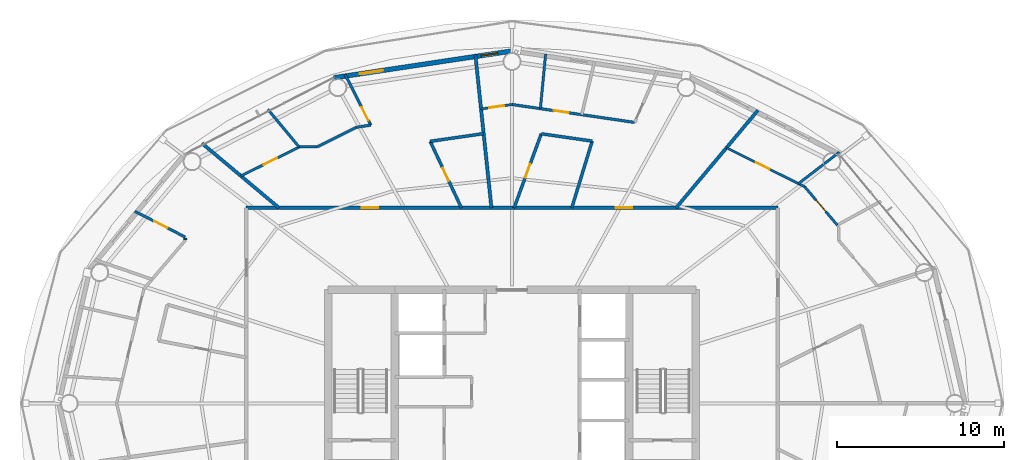
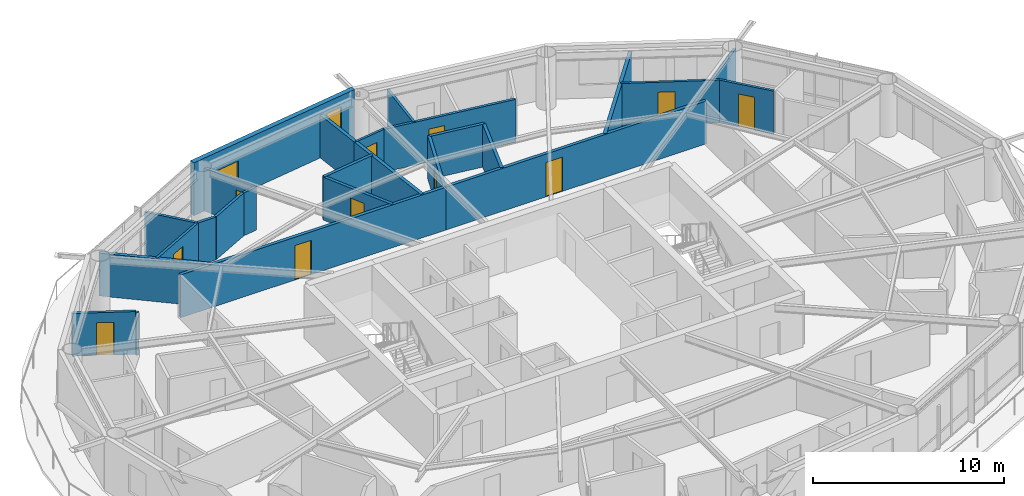
# One storey, part 25 of 29: 26 walls, 12 doors, 1 window, 13 openings.
"""IFC4 building model written with IfcOpenShell, lengths in metres."""

from ifc_helpers import new_model, si_unit, direction, frame, frame_2d, origin, place, context, subcontext, project, spatial, rectangle, extrude, material, layer, layer_set, type_object, element, fill, save


model = new_model("IFC4")

# Units and contexts
model_context = context("Model", 3, precision=1e-05, world=origin(), true_north=direction((0.0, 1.0)))
body_context = subcontext(model_context, "Body", "Model", "MODEL_VIEW")
ifc_project = project(units=[si_unit("LENGTHUNIT", "METRE"), si_unit("AREAUNIT", "SQUARE_METRE"), si_unit("VOLUMEUNIT", "CUBIC_METRE"), si_unit("PLANEANGLEUNIT", "RADIAN"), si_unit("MASSUNIT", "GRAM", prefix="KILO")], contexts=[model_context])

# Site, building, storey
site_placement = place(None, origin())
site = spatial("IfcSite", under=ifc_project, at=site_placement, CompositionType="ELEMENT")
building_placement = place(site_placement, origin())
building = spatial("IfcBuilding", under=site, at=building_placement, Name="Sarneth Arch Tower", CompositionType="ELEMENT")
storey_placement = place(building_placement, frame((0.0, 0.0, 175.800048828125)))
storey = spatial("IfcBuildingStorey", under=building, at=storey_placement, Name="L44", CompositionType="ELEMENT", Elevation=175.800048828125)

# Wall, opening, door
ifc_material_1 = material(Name="Double steel-stud corridor fire wall", Category="steel")
ifc_layer_1 = layer(ifc_material_1, 0.18994140625)
ifc_layer_set_1 = layer_set([ifc_layer_1], Name="Double steel-stud corridor fire wall")
wall_type_1 = type_object("IfcWallType", Name="WALL-CORR-190", PredefinedType="PARTITIONING", material=ifc_layer_set_1)
wall_1_placement = place(storey_placement, frame((32.10009765625, 53.699951171875, 0.0), z_axis=(0.0, 0.0, 1.0), x_axis=(1.0, 0.0, 0.0)))
wall_1 = element("IfcWall", 1, at=wall_1_placement, inside=storey, type_object=wall_type_1, Name="L44 Interior partition W-L44-TP-007", PredefinedType="PARTITIONING", context=body_context, shape_type="SweptSolid", body=[
    extrude(rectangle(XDim=16.060546875, YDim=0.18994140625, at=frame_2d((8.0302734375, 0.0))), origin(), (0.0, 0.0, 1.0), 2.739990234375),
])
opening_1_placement = place(wall_1_placement, frame((6.90673828125, 0.0, 0.0)))
opening_1 = element("IfcOpeningElement", 2, at=opening_1_placement, cuts=wall_1, Name="Opening FD-08", PredefinedType="OPENING", context=body_context, shape_type="SweptSolid", body=[
    extrude(rectangle(XDim=1.0, YDim=2.199951171875, at=frame_2d((0.5, 1.10009765625))), frame((0.0, 0.10498046875, 0.0), z_axis=(0.0, -1.0, 0.0), x_axis=(1.0, 0.0, 0.0)), (0.0, 0.0, 1.0), 0.2099609375),
])
ifc_material_2 = material(Name="Hardwood timber acoustic fire door", Category="wood")
door_type_1 = type_object("IfcDoorType", Name="DR-FD60-1000", OperationType="SINGLE_SWING_LEFT", PredefinedType="DOOR", material=ifc_material_2)
door_1_placement = place(opening_1_placement, origin())
door_1 = element("IfcDoor", 3, at=door_1_placement, inside=storey, type_object=door_type_1, Name="L44 Interior door DR-L44-U3-ENT", OperationType="SINGLE_SWING_LEFT", OverallHeight=2.199951171875, OverallWidth=1.0, PredefinedType="DOOR", context=body_context, shape_type="SweptSolid", body=[
    extrude(rectangle(XDim=1.0, YDim=2.199951171875, at=frame_2d((0.5, 1.10009765625))), frame((0.0, 0.02490234375, 0.0), z_axis=(0.0, -1.0, 0.0), x_axis=(1.0, 0.0, 0.0)), (0.0, 0.0, 1.0), 0.050048828125),
])
fill(opening_1, door_1)

wall_2_placement = place(storey_placement, frame((48.09228515625, 53.699951171875, 0.0), z_axis=(0.0, 0.0, 1.0), x_axis=(1.0, 0.0, 0.0)))
wall_2 = element("IfcWall", 4, at=wall_2_placement, inside=storey, type_object=wall_type_1, Name="L44 Interior partition W-L44-TP-005", PredefinedType="PARTITIONING", context=body_context, shape_type="SweptSolid", body=[
    extrude(rectangle(XDim=15.8076171875, YDim=0.18994140625, at=frame_2d((7.90380859375, 0.0))), origin(), (0.0, 0.0, 1.0), 2.739990234375),
])
opening_2_placement = place(wall_2_placement, frame((6.10888671875, 0.0, 0.0)))
opening_2 = element("IfcOpeningElement", 5, at=opening_2_placement, cuts=wall_2, Name="Opening FD-08", PredefinedType="OPENING", context=body_context, shape_type="SweptSolid", body=[
    extrude(rectangle(XDim=1.0, YDim=2.199951171875, at=frame_2d((0.5, 1.10009765625))), frame((0.0, 0.10498046875, 0.0), z_axis=(0.0, -1.0, 0.0), x_axis=(1.0, 0.0, 0.0)), (0.0, 0.0, 1.0), 0.2099609375),
])
door_2_placement = place(opening_2_placement, origin())
door_2 = element("IfcDoor", 6, at=door_2_placement, inside=storey, type_object=door_type_1, Name="L44 Interior door DR-L44-U2-ENT", OperationType="SINGLE_SWING_RIGHT", OverallHeight=2.199951171875, OverallWidth=1.0, PredefinedType="DOOR", context=body_context, shape_type="SweptSolid", body=[
    extrude(rectangle(XDim=1.0, YDim=2.199951171875, at=frame_2d((0.5, 1.10009765625))), frame((0.0, 0.02490234375, 0.0), z_axis=(0.0, -1.0, 0.0), x_axis=(1.0, 0.0, 0.0)), (0.0, 0.0, 1.0), 0.050048828125),
])
fill(opening_2, door_2)

# Wall, openings, door, window
ifc_material_3 = material(Name="Extruded terracotta rainscreen on Concrete C40/50 backing", Category="masonry")
ifc_layer_2 = layer(ifc_material_3, 0.280029296875)
ifc_layer_set_2 = layer_set([ifc_layer_2], Name="Extruded terracotta rainscreen on Concrete C40/50 backing")
wall_type_2 = type_object("IfcWallType", Name="WALL-EXT-TERRA-280", PredefinedType="SOLIDWALL", material=ifc_layer_set_2)
wall_3_placement = place(storey_placement, frame((48.0, 63.080078125, 0.0), z_axis=(0.0, 0.0, 1.0), x_axis=(-0.988863993413, -0.148822049884, 0.0)))
wall_3 = element("IfcWall", 7, at=wall_3_placement, inside=storey, type_object=wall_type_2, Name="L44 Terracotta perimeter wall 05", PredefinedType="SOLIDWALL", context=body_context, shape_type="SweptSolid", body=[
    extrude(rectangle(XDim=10.782958984375, YDim=0.280029296875, at=frame_2d((5.3916015625, 0.0))), origin(), (0.0, 0.0, 1.0), 3.3798828125),
])
opening_3_placement = place(wall_3_placement, frame((7.80126953125, 0.0, 0.0)))
opening_3 = element("IfcOpeningElement", 8, at=opening_3_placement, cuts=wall_3, Name="Opening BD-2", PredefinedType="OPENING", context=body_context, shape_type="SweptSolid", body=[
    extrude(rectangle(XDim=1.39990234375, YDim=2.199951171875, at=frame_2d((0.699951171875, 1.10009765625))), frame((0.0, 0.14990234375, 0.0), z_axis=(0.0, -1.0, 0.0), x_axis=(1.0, 0.0, 0.0)), (0.0, 0.0, 1.0), 0.300048828125),
])
opening_4_placement = place(wall_3_placement, frame((0.873779296875, 0.0, 0.85009765625)))
opening_4 = element("IfcOpeningElement", 9, at=opening_4_placement, cuts=wall_3, Name="Opening W-11", PredefinedType="OPENING", context=body_context, shape_type="SweptSolid", body=[
    extrude(rectangle(XDim=1.0, YDim=1.800048828125, at=frame_2d((0.5, 0.89990234375))), frame((0.0, 0.14990234375, 0.0), z_axis=(0.0, -1.0, 0.0), x_axis=(1.0, 0.0, 0.0)), (0.0, 0.0, 1.0), 0.300048828125),
])
ifc_material_4 = material(Name="Thermally broken Aluminium 6063-T6 and laminated safety glass", Category="aluminium")
door_type_2 = type_object("IfcDoorType", Name="DR-BALC-GLZ-1400", OperationType="SINGLE_SWING_LEFT", PredefinedType="DOOR", material=ifc_material_4)
door_3_placement = place(opening_3_placement, origin())
door_3 = element("IfcDoor", 10, at=door_3_placement, inside=storey, type_object=door_type_2, Name="L44 Balcony glazed door 05", OperationType="SINGLE_SWING_LEFT", OverallHeight=2.199951171875, OverallWidth=1.39990234375, PredefinedType="DOOR", context=body_context, shape_type="SweptSolid", body=[
    extrude(rectangle(XDim=1.39990234375, YDim=2.199951171875, at=frame_2d((0.699951171875, 1.10009765625))), frame((0.0, 0.02490234375, 0.0), z_axis=(0.0, -1.0, 0.0), x_axis=(1.0, 0.0, 0.0)), (0.0, 0.0, 1.0), 0.050048828125),
])
fill(opening_3, door_3)
ifc_material_5 = material(Name="Thermally broken Aluminium 6063-T6 and low-e laminated IGU", Category="aluminium")
window_type = type_object("IfcWindowType", Name="WIN-TWR-1000x1800", PartitioningType="SINGLE_PANEL", PredefinedType="WINDOW", material=ifc_material_5)
window_placement = place(opening_4_placement, origin())
window = element("IfcWindow", 11, at=window_placement, inside=storey, type_object=window_type, Name="L44 Dwelling bedroom window 02", OverallHeight=1.800048828125, OverallWidth=1.0, PartitioningType="SINGLE_PANEL", PredefinedType="WINDOW", context=body_context, shape_type="SweptSolid", body=[
    extrude(rectangle(XDim=1.0, YDim=1.800048828125, at=frame_2d((0.5, 0.89990234375))), frame((0.0, 0.030029296875, 0.0), z_axis=(0.0, -1.0, 0.0), x_axis=(1.0, 0.0, 0.0)), (0.0, 0.0, 1.0), 0.06005859375),
])
fill(opening_4, window)

# Wall, opening, door
ifc_material_6 = material(Name="Apartment internal stud partition", Category="gypsum")
ifc_layer_3 = layer(ifc_material_6, 0.139892578125)
ifc_layer_set_3 = layer_set([ifc_layer_3], Name="Apartment internal stud partition")
wall_type_3 = type_object("IfcWallType", Name="WALL-PART-140", PredefinedType="PARTITIONING", material=ifc_layer_set_3)
wall_4_placement = place(storey_placement, frame((60.8310546875, 57.291259765625, 0.0), z_axis=(0.0, 0.0, 1.0), x_axis=(0.894950159382, -0.446166126261, 0.0)))
wall_4 = element("IfcWall", 12, at=wall_4_placement, inside=storey, type_object=wall_type_3, Name="L44 Interior partition W-L44-TP-029", PredefinedType="PARTITIONING", context=body_context, shape_type="SweptSolid", body=[
    extrude(rectangle(XDim=5.222412109375, YDim=0.139892578125, at=frame_2d((2.611328125, 0.0))), origin(), (0.0, 0.0, 1.0), 2.739990234375),
])
opening_5_placement = place(wall_4_placement, frame((1.97119140625, 0.0, 0.0)))
opening_5 = element("IfcOpeningElement", 13, at=opening_5_placement, cuts=wall_4, Name="Opening ID-01", PredefinedType="OPENING", context=body_context, shape_type="SweptSolid", body=[
    extrude(rectangle(XDim=0.89990234375, YDim=2.10009765625, at=frame_2d((0.449951171875, 1.050048828125))), frame((0.0, 0.079833984375, 0.0), z_axis=(0.0, -1.0, 0.0), x_axis=(1.0, 0.0, 0.0)), (0.0, 0.0, 1.0), 0.159912109375),
])
ifc_material_7 = material(Name="Engineered hardwood flush door", Category="wood")
door_type_3 = type_object("IfcDoorType", Name="DR-INT-900", OperationType="SINGLE_SWING_LEFT", PredefinedType="DOOR", material=ifc_material_7)
door_4_placement = place(opening_5_placement, origin())
door_4 = element("IfcDoor", 14, at=door_4_placement, inside=storey, type_object=door_type_3, Name="L44 Interior door DR-L44-U1-BED2", OperationType="SINGLE_SWING_LEFT", OverallHeight=2.10009765625, OverallWidth=0.89990234375, PredefinedType="DOOR", context=body_context, shape_type="SweptSolid", body=[
    extrude(rectangle(XDim=0.89990234375, YDim=2.10009765625, at=frame_2d((0.449951171875, 1.050048828125))), frame((0.0, 0.02490234375, 0.0), z_axis=(0.0, -1.0, 0.0), x_axis=(1.0, 0.0, 0.0)), (0.0, 0.0, 1.0), 0.050048828125),
])
fill(opening_5, door_4)

wall_5_placement = place(storey_placement, frame((46.149169921875, 59.609375, 0.0), z_axis=(0.0, 0.0, 1.0), x_axis=(0.989487501707, 0.144618408111, 0.0)))
wall_5 = element("IfcWall", 15, at=wall_5_placement, inside=storey, type_object=wall_type_3, Name="L44 Interior partition W-L44-TP-043", PredefinedType="PARTITIONING", context=body_context, shape_type="SweptSolid", body=[
    extrude(rectangle(XDim=1.87060546875, YDim=0.139892578125, at=frame_2d((0.935302734375, 0.0))), origin(), (0.0, 0.0, 1.0), 2.739990234375),
])
opening_6_placement = place(wall_5_placement, frame((0.485107421875, 0.0, 0.0)))
opening_6 = element("IfcOpeningElement", 16, at=opening_6_placement, cuts=wall_5, Name="Opening ID-01", PredefinedType="OPENING", context=body_context, shape_type="SweptSolid", body=[
    extrude(rectangle(XDim=0.89990234375, YDim=2.10009765625, at=frame_2d((0.449951171875, 1.050048828125))), frame((0.0, 0.079833984375, 0.0), z_axis=(0.0, -1.0, 0.0), x_axis=(1.0, 0.0, 0.0)), (0.0, 0.0, 1.0), 0.159912109375),
])
door_5_placement = place(opening_6_placement, origin())
door_5 = element("IfcDoor", 17, at=door_5_placement, inside=storey, type_object=door_type_3, Name="L44 Interior door DR-L44-U2-BED2", OperationType="SINGLE_SWING_LEFT", OverallHeight=2.10009765625, OverallWidth=0.89990234375, PredefinedType="DOOR", context=body_context, shape_type="SweptSolid", body=[
    extrude(rectangle(XDim=0.89990234375, YDim=2.10009765625, at=frame_2d((0.449951171875, 1.050048828125))), frame((0.0, 0.02490234375, 0.0), z_axis=(0.0, -1.0, 0.0), x_axis=(1.0, 0.0, 0.0)), (0.0, 0.0, 1.0), 0.050048828125),
])
fill(opening_6, door_5)

ifc_material_8 = material(Name="Acoustic gypsum stud partition", Category="gypsum")
ifc_layer_4 = layer(ifc_material_8, 0.14990234375)
ifc_layer_set_4 = layer_set([ifc_layer_4], Name="Acoustic gypsum stud partition")
wall_type_4 = type_object("IfcWallType", Name="WALL-PART-150", PredefinedType="PARTITIONING", material=ifc_layer_set_4)
wall_6_placement = place(storey_placement, frame((31.786376953125, 55.60498046875, 0.0), z_axis=(0.0, 0.0, 1.0), x_axis=(0.895458573673, 0.445144856013, 0.0)))
wall_6 = element("IfcWall", 18, at=wall_6_placement, inside=storey, type_object=wall_type_4, Name="L44 Interior partition W-L44-TP-056", PredefinedType="PARTITIONING", context=body_context, shape_type="SweptSolid", body=[
    extrude(rectangle(XDim=3.92041015625, YDim=0.14990234375, at=frame_2d((1.960205078125, 0.0))), origin(), (0.0, 0.0, 1.0), 2.739990234375),
])
opening_7_placement = place(wall_6_placement, frame((1.51025390625, 0.0, 0.0)))
opening_7 = element("IfcOpeningElement", 19, at=opening_7_placement, cuts=wall_6, Name="Opening ID-01", PredefinedType="OPENING", context=body_context, shape_type="SweptSolid", body=[
    extrude(rectangle(XDim=0.89990234375, YDim=2.10009765625, at=frame_2d((0.449951171875, 1.050048828125))), frame((0.0, 0.0849609375, 0.0), z_axis=(0.0, -1.0, 0.0), x_axis=(1.0, 0.0, 0.0)), (0.0, 0.0, 1.0), 0.169921875),
])
door_6_placement = place(opening_7_placement, origin())
door_6 = element("IfcDoor", 20, at=door_6_placement, inside=storey, type_object=door_type_3, Name="L44 Interior door DR-L44-U3-BED1", OperationType="SINGLE_SWING_RIGHT", OverallHeight=2.10009765625, OverallWidth=0.89990234375, PredefinedType="DOOR", context=body_context, shape_type="SweptSolid", body=[
    extrude(rectangle(XDim=0.89990234375, YDim=2.10009765625, at=frame_2d((0.449951171875, 1.050048828125))), frame((0.0, 0.02490234375, 0.0), z_axis=(0.0, -1.0, 0.0), x_axis=(1.0, 0.0, 0.0)), (0.0, 0.0, 1.0), 0.050048828125),
])
fill(opening_7, door_6)

# Walls
wall_7_placement = place(storey_placement, frame((49.69775390625, 59.631591796875, 0.0), z_axis=(0.0, 0.0, 1.0), x_axis=(0.09582014047, 0.995398664195, 0.0)))
element("IfcWall", 21, at=wall_7_placement, inside=storey, type_object=wall_type_4, Name="L44 Interior partition W-L44-TP-048", PredefinedType="PARTITIONING", context=body_context, shape_type="SweptSolid", body=[
    extrude(rectangle(XDim=3.28173828125, YDim=0.14990234375, at=frame_2d((1.640869140625, 0.0))), origin(), (0.0, 0.0, 1.0), 2.739990234375),
])
wall_8_placement = place(storey_placement, frame((67.5810546875, 57.025146484375, 0.0), z_axis=(0.0, 0.0, 1.0), x_axis=(-0.793314658032, -0.608811837395, 0.0)))
element("IfcWall", 22, at=wall_8_placement, inside=storey, type_object=wall_type_4, Name="L44 Interior partition W-L44-TP-035", PredefinedType="PARTITIONING", context=body_context, shape_type="SweptSolid", body=[
    extrude(rectangle(XDim=3.085693359375, YDim=0.14990234375, at=frame_2d((1.54296875, 0.0))), origin(), (0.0, 0.0, 1.0), 2.739990234375),
])

# Wall, opening, door
wall_9_placement = place(storey_placement, frame((67.458740234375, 52.663818359375, 0.0), z_axis=(0.0, 0.0, 1.0), x_axis=(-0.647859881114, 0.761759525338, 0.0)))
wall_9 = element("IfcWall", 23, at=wall_9_placement, inside=storey, type_object=wall_type_4, Name="L44 Interior partition W-L44-TP-027", PredefinedType="PARTITIONING", context=body_context, shape_type="SweptSolid", body=[
    extrude(rectangle(XDim=3.015869140625, YDim=0.14990234375, at=frame_2d((1.5078125, 0.0))), origin(), (0.0, 0.0, 1.0), 2.739990234375),
])
opening_8_placement = place(wall_9_placement, frame((1.05810546875, 0.0, 0.0)))
opening_8 = element("IfcOpeningElement", 24, at=opening_8_placement, cuts=wall_9, Name="Opening ID-01", PredefinedType="OPENING", context=body_context, shape_type="SweptSolid", body=[
    extrude(rectangle(XDim=0.89990234375, YDim=2.10009765625, at=frame_2d((0.449951171875, 1.050048828125))), frame((0.0, 0.0849609375, 0.0), z_axis=(0.0, -1.0, 0.0), x_axis=(1.0, 0.0, 0.0)), (0.0, 0.0, 1.0), 0.169921875),
])
door_7_placement = place(opening_8_placement, origin())
door_7 = element("IfcDoor", 25, at=door_7_placement, inside=storey, type_object=door_type_3, Name="L44 Interior door DR-L44-U1-BED1", OperationType="SINGLE_SWING_LEFT", OverallHeight=2.10009765625, OverallWidth=0.89990234375, PredefinedType="DOOR", context=body_context, shape_type="SweptSolid", body=[
    extrude(rectangle(XDim=0.89990234375, YDim=2.10009765625, at=frame_2d((0.449951171875, 1.050048828125))), frame((0.0, 0.02490234375, 0.0), z_axis=(0.0, -1.0, 0.0), x_axis=(1.0, 0.0, 0.0)), (0.0, 0.0, 1.0), 0.050048828125),
])
fill(opening_8, door_7)

ifc_material_9 = material(Name="Kitchen wet service chase wall", Category="gypsum")
ifc_layer_5 = layer(ifc_material_9, 0.159912109375)
ifc_layer_set_5 = layer_set([ifc_layer_5], Name="Kitchen wet service chase wall")
wall_type_5 = type_object("IfcWallType", Name="WALL-PLUMB-160", PredefinedType="PLUMBINGWALL", material=ifc_layer_set_5)
wall_10_placement = place(storey_placement, frame((38.006591796875, 61.69140625, 0.0), z_axis=(0.0, 0.0, 1.0), x_axis=(0.452578737028, -0.891724445549, 0.0)))
wall_10 = element("IfcWall", 26, at=wall_10_placement, inside=storey, type_object=wall_type_5, Name="L44 Interior partition W-L44-TP-050", PredefinedType="PLUMBINGWALL", context=body_context, shape_type="SweptSolid", body=[
    extrude(rectangle(XDim=3.416748046875, YDim=0.159912109375, at=frame_2d((1.70849609375, 0.0))), origin(), (0.0, 0.0, 1.0), 2.739990234375),
])
opening_9_placement = place(wall_10_placement, frame((2.21826171875, 0.0, 0.0)))
opening_9 = element("IfcOpeningElement", 27, at=opening_9_placement, cuts=wall_10, Name="Opening ID-01", PredefinedType="OPENING", context=body_context, shape_type="SweptSolid", body=[
    extrude(rectangle(XDim=0.89990234375, YDim=2.10009765625, at=frame_2d((0.449951171875, 1.050048828125))), frame((0.0, 0.08984375, 0.0), z_axis=(0.0, -1.0, 0.0), x_axis=(1.0, 0.0, 0.0)), (0.0, 0.0, 1.0), 0.179931640625),
])
door_8_placement = place(opening_9_placement, origin())
door_8 = element("IfcDoor", 28, at=door_8_placement, inside=storey, type_object=door_type_3, Name="L44 Interior door DR-L44-U3-KIT", OperationType="SINGLE_SWING_RIGHT", OverallHeight=2.10009765625, OverallWidth=0.89990234375, PredefinedType="DOOR", context=body_context, shape_type="SweptSolid", body=[
    extrude(rectangle(XDim=0.89990234375, YDim=2.10009765625, at=frame_2d((0.449951171875, 1.050048828125))), frame((0.0, 0.02490234375, 0.0), z_axis=(0.0, -1.0, 0.0), x_axis=(1.0, 0.0, 0.0)), (0.0, 0.0, 1.0), 0.050048828125),
])
fill(opening_9, door_8)

wall_11_placement = place(storey_placement, frame((28.449951171875, 51.952392578125, 0.0), z_axis=(0.0, 0.0, 1.0), x_axis=(-0.891148759763, 0.453711238535, 0.0)))
wall_11 = element("IfcWall", 29, at=wall_11_placement, inside=storey, type_object=wall_type_5, Name="L44 Interior partition W-L44-TP-064", PredefinedType="PLUMBINGWALL", context=body_context, shape_type="SweptSolid", body=[
    extrude(rectangle(XDim=3.37548828125, YDim=0.159912109375, at=frame_2d((1.687744140625, 0.0))), origin(), (0.0, 0.0, 1.0), 2.739990234375),
])
opening_10_placement = place(wall_11_placement, frame((1.177734375, 0.0, 0.0)))
opening_10 = element("IfcOpeningElement", 30, at=opening_10_placement, cuts=wall_11, Name="Opening ID-01", PredefinedType="OPENING", context=body_context, shape_type="SweptSolid", body=[
    extrude(rectangle(XDim=0.89990234375, YDim=2.10009765625, at=frame_2d((0.449951171875, 1.050048828125))), frame((0.0, 0.08984375, 0.0), z_axis=(0.0, -1.0, 0.0), x_axis=(1.0, 0.0, 0.0)), (0.0, 0.0, 1.0), 0.179931640625),
])
door_9_placement = place(opening_10_placement, origin())
door_9 = element("IfcDoor", 31, at=door_9_placement, inside=storey, type_object=door_type_3, Name="L44 Interior door DR-L44-U4-KIT", OperationType="SINGLE_SWING_RIGHT", OverallHeight=2.10009765625, OverallWidth=0.89990234375, PredefinedType="DOOR", context=body_context, shape_type="SweptSolid", body=[
    extrude(rectangle(XDim=0.89990234375, YDim=2.10009765625, at=frame_2d((0.449951171875, 1.050048828125))), frame((0.0, 0.02490234375, 0.0), z_axis=(0.0, -1.0, 0.0), x_axis=(1.0, 0.0, 0.0)), (0.0, 0.0, 1.0), 0.050048828125),
])
fill(opening_10, door_9)

wall_12_placement = place(storey_placement, frame((55.344482421875, 58.8056640625, 0.0), z_axis=(0.0, 0.0, 1.0), x_axis=(-0.989467614554, 0.144754411849, 0.0)))
wall_12 = element("IfcWall", 32, at=wall_12_placement, inside=storey, type_object=wall_type_5, Name="L44 Interior partition W-L44-TP-038", PredefinedType="PLUMBINGWALL", context=body_context, shape_type="SweptSolid", body=[
    extrude(rectangle(XDim=7.422607421875, YDim=0.159912109375, at=frame_2d((3.71142578125, 0.0))), origin(), (0.0, 0.0, 1.0), 2.739990234375),
])
opening_11_placement = place(wall_12_placement, frame((4.007568359375, 0.0, 0.0)))
opening_11 = element("IfcOpeningElement", 33, at=opening_11_placement, cuts=wall_12, Name="Opening ID-01", PredefinedType="OPENING", context=body_context, shape_type="SweptSolid", body=[
    extrude(rectangle(XDim=0.89990234375, YDim=2.10009765625, at=frame_2d((0.449951171875, 1.050048828125))), frame((0.0, 0.08984375, 0.0), z_axis=(0.0, -1.0, 0.0), x_axis=(1.0, 0.0, 0.0)), (0.0, 0.0, 1.0), 0.179931640625),
])
door_10_placement = place(opening_11_placement, origin())
door_10 = element("IfcDoor", 34, at=door_10_placement, inside=storey, type_object=door_type_3, Name="L44 Interior door DR-L44-U2-BED1", OperationType="SINGLE_SWING_RIGHT", OverallHeight=2.10009765625, OverallWidth=0.89990234375, PredefinedType="DOOR", context=body_context, shape_type="SweptSolid", body=[
    extrude(rectangle(XDim=0.89990234375, YDim=2.10009765625, at=frame_2d((0.449951171875, 1.050048828125))), frame((0.0, 0.02490234375, 0.0), z_axis=(0.0, -1.0, 0.0), x_axis=(1.0, 0.0, 0.0)), (0.0, 0.0, 1.0), 0.050048828125),
])
fill(opening_11, door_10)

# Walls
wall_13_placement = place(storey_placement, frame((35.264404296875, 57.3388671875, 0.0), z_axis=(0.0, 0.0, 1.0), x_axis=(-0.638753509407, 0.769411433643, 0.0)))
element("IfcWall", 35, at=wall_13_placement, inside=storey, type_object=wall_type_5, Name="L44 Interior partition W-L44-TP-058", PredefinedType="PLUMBINGWALL", context=body_context, shape_type="SweptSolid", body=[
    extrude(rectangle(XDim=2.92236328125, YDim=0.159912109375, at=frame_2d((1.461181640625, 0.0))), origin(), (0.0, 0.0, 1.0), 2.739990234375),
])
wall_14_placement = place(storey_placement, frame((38.69482421875, 58.51904296875, 0.0), z_axis=(0.0, 0.0, 1.0), x_axis=(-0.895041110332, -0.445983644112, 0.0)))
element("IfcWall", 36, at=wall_14_placement, inside=storey, type_object=wall_type_5, Name="L44 Interior partition W-L44-TP-052", PredefinedType="PLUMBINGWALL", context=body_context, shape_type="SweptSolid", body=[
    extrude(rectangle(XDim=2.62109375, YDim=0.159912109375, at=frame_2d((1.310546875, 0.0))), origin(), (0.0, 0.0, 1.0), 2.739990234375),
])
wall_15_placement = place(storey_placement, frame((36.348876953125, 57.35009765625, 0.0), z_axis=(0.0, 0.0, 1.0), x_axis=(-1.0, 0.0, 0.0)))
element("IfcWall", 37, at=wall_15_placement, inside=storey, type_object=wall_type_5, Name="L44 Interior partition W-L44-TP-053", PredefinedType="PLUMBINGWALL", context=body_context, shape_type="SweptSolid", body=[
    extrude(rectangle(XDim=1.062255859375, YDim=0.159912109375, at=frame_2d((0.53125, 0.0))), origin(), (0.0, 0.0, 1.0), 2.739990234375),
])
wall_16_placement = place(storey_placement, frame((39.552978515625, 58.64453125, 0.0), z_axis=(0.0, 0.0, 1.0), x_axis=(-0.989476797437, -0.144691628416, 0.0)))
element("IfcWall", 38, at=wall_16_placement, inside=storey, type_object=wall_type_5, Name="L44 Interior partition W-L44-TP-051", PredefinedType="PLUMBINGWALL", context=body_context, shape_type="SweptSolid", body=[
    extrude(rectangle(XDim=0.8671875, YDim=0.159912109375, at=frame_2d((0.43359375, 0.0))), origin(), (0.0, 0.0, 1.0), 2.739990234375),
])
wall_17_placement = place(storey_placement, frame((28.449951171875, 51.784423828125, 0.0), z_axis=(0.0, 0.0, 1.0), x_axis=(0.0, 1.0, 0.0)))
element("IfcWall", 39, at=wall_17_placement, inside=storey, type_object=wall_type_5, Name="L44 Interior partition W-L44-TP-063", PredefinedType="PLUMBINGWALL", context=body_context, shape_type="SweptSolid", body=[
    extrude(rectangle(XDim=0.108154296875, YDim=0.159912109375, at=frame_2d((0.05419921875, 0.0))), origin(), (0.0, 0.0, 1.0), 2.739990234375),
])

# Wall, opening, door
ifc_material_10 = material(Name="Moisture-resistant plumbing chase wall", Category="gypsum")
ifc_layer_6 = layer(ifc_material_10, 0.179931640625)
ifc_layer_set_6 = layer_set([ifc_layer_6], Name="Moisture-resistant plumbing chase wall")
wall_type_6 = type_object("IfcWallType", Name="WALL-PLUMB-180", PredefinedType="PLUMBINGWALL", material=ifc_layer_set_6)
wall_18_placement = place(storey_placement, frame((48.12646484375, 53.699951171875, 0.0), z_axis=(0.0, 0.0, 1.0), x_axis=(0.344546621301, 0.938769207926, 0.0)))
wall_18 = element("IfcWall", 40, at=wall_18_placement, inside=storey, type_object=wall_type_6, Name="L44 Interior partition W-L44-TP-039", PredefinedType="PLUMBINGWALL", context=body_context, shape_type="SweptSolid", body=[
    extrude(rectangle(XDim=4.717041015625, YDim=0.179931640625, at=frame_2d((2.3583984375, 0.0))), origin(), (0.0, 0.0, 1.0), 2.739990234375),
])
opening_12_placement = place(wall_18_placement, frame((1.93359375, 0.0, 0.0)))
opening_12 = element("IfcOpeningElement", 41, at=opening_12_placement, cuts=wall_18, Name="Opening ID-02", PredefinedType="OPENING", context=body_context, shape_type="SweptSolid", body=[
    extrude(rectangle(XDim=0.85009765625, YDim=2.10009765625, at=frame_2d((0.425048828125, 1.050048828125))), frame((0.0, 0.099853515625, 0.0), z_axis=(0.0, -1.0, 0.0), x_axis=(1.0, 0.0, 0.0)), (0.0, 0.0, 1.0), 0.199951171875),
])
ifc_material_11 = material(Name="Moisture-resistant bathroom timber door", Category="wood")
door_type_4 = type_object("IfcDoorType", Name="DR-INT-850", OperationType="SINGLE_SWING_RIGHT", PredefinedType="DOOR", material=ifc_material_11)
door_11_placement = place(opening_12_placement, origin())
door_11 = element("IfcDoor", 42, at=door_11_placement, inside=storey, type_object=door_type_4, Name="L44 Interior door DR-L44-U2-BATH", OperationType="SINGLE_SWING_LEFT", OverallHeight=2.10009765625, OverallWidth=0.85009765625, PredefinedType="DOOR", context=body_context, shape_type="SweptSolid", body=[
    extrude(rectangle(XDim=0.85009765625, YDim=2.10009765625, at=frame_2d((0.425048828125, 1.050048828125))), frame((0.0, 0.02490234375, 0.0), z_axis=(0.0, -1.0, 0.0), x_axis=(1.0, 0.0, 0.0)), (0.0, 0.0, 1.0), 0.050048828125),
])
fill(opening_12, door_11)

wall_19_placement = place(storey_placement, frame((43.1064453125, 57.676513671875, 0.0), z_axis=(0.0, 0.0, 1.0), x_axis=(0.424616155392, -0.905373470221, 0.0)))
wall_19 = element("IfcWall", 43, at=wall_19_placement, inside=storey, type_object=wall_type_6, Name="L44 Interior partition W-L44-TP-055", PredefinedType="PLUMBINGWALL", context=body_context, shape_type="SweptSolid", body=[
    extrude(rectangle(XDim=4.39208984375, YDim=0.179931640625, at=frame_2d((2.196044921875, 0.0))), origin(), (0.0, 0.0, 1.0), 2.739990234375),
])
opening_13_placement = place(wall_19_placement, frame((1.77099609375, 0.0, 0.0)))
opening_13 = element("IfcOpeningElement", 44, at=opening_13_placement, cuts=wall_19, Name="Opening ID-02", PredefinedType="OPENING", context=body_context, shape_type="SweptSolid", body=[
    extrude(rectangle(XDim=0.85009765625, YDim=2.10009765625, at=frame_2d((0.425048828125, 1.050048828125))), frame((0.0, 0.099853515625, 0.0), z_axis=(0.0, -1.0, 0.0), x_axis=(1.0, 0.0, 0.0)), (0.0, 0.0, 1.0), 0.199951171875),
])
door_12_placement = place(opening_13_placement, origin())
door_12 = element("IfcDoor", 45, at=door_12_placement, inside=storey, type_object=door_type_4, Name="L44 Interior door DR-L44-U3-BATH", OperationType="SINGLE_SWING_RIGHT", OverallHeight=2.10009765625, OverallWidth=0.85009765625, PredefinedType="DOOR", context=body_context, shape_type="SweptSolid", body=[
    extrude(rectangle(XDim=0.85009765625, YDim=2.10009765625, at=frame_2d((0.425048828125, 1.050048828125))), frame((0.0, 0.02490234375, 0.0), z_axis=(0.0, -1.0, 0.0), x_axis=(1.0, 0.0, 0.0)), (0.0, 0.0, 1.0), 0.050048828125),
])
fill(opening_13, door_12)

# Walls
wall_20_placement = place(storey_placement, frame((52.797119140625, 57.6904296875, 0.0), z_axis=(0.0, 0.0, 1.0), x_axis=(-0.29241622154, -0.956291144673, 0.0)))
element("IfcWall", 46, at=wall_20_placement, inside=storey, type_object=wall_type_6, Name="L44 Interior partition W-L44-TP-041", PredefinedType="PLUMBINGWALL", context=body_context, shape_type="SweptSolid", body=[
    extrude(rectangle(XDim=4.1728515625, YDim=0.179931640625, at=frame_2d((2.08642578125, 0.0))), origin(), (0.0, 0.0, 1.0), 2.739990234375),
])
wall_21_placement = place(storey_placement, frame((46.303955078125, 58.13623046875, 0.0), z_axis=(0.0, 0.0, 1.0), x_axis=(-0.989822126592, -0.142310075924, 0.0)))
element("IfcWall", 47, at=wall_21_placement, inside=storey, type_object=wall_type_6, Name="L44 Interior partition W-L44-TP-054", PredefinedType="PLUMBINGWALL", context=body_context, shape_type="SweptSolid", body=[
    extrude(rectangle(XDim=3.23046875, YDim=0.179931640625, at=frame_2d((1.615234375, 0.0))), origin(), (0.0, 0.0, 1.0), 2.739990234375),
])
wall_22_placement = place(storey_placement, frame((49.751708984375, 58.128173828125, 0.0), z_axis=(0.0, 0.0, 1.0), x_axis=(0.989826923232, -0.142276709424, 0.0)))
element("IfcWall", 48, at=wall_22_placement, inside=storey, type_object=wall_type_6, Name="L44 Interior partition W-L44-TP-040", PredefinedType="PLUMBINGWALL", context=body_context, shape_type="SweptSolid", body=[
    extrude(rectangle(XDim=3.07666015625, YDim=0.179931640625, at=frame_2d((1.538330078125, 0.0))), origin(), (0.0, 0.0, 1.0), 2.739990234375),
])
ifc_material_12 = material(Name="Double steel-stud acoustic drywall", Category="steel")
ifc_layer_7 = layer(ifc_material_12, 0.199951171875)
ifc_layer_set_7 = layer_set([ifc_layer_7], Name="Double steel-stud acoustic drywall")
wall_type_7 = type_object("IfcWallType", Name="WALL-UNIT-200", PredefinedType="PARTITIONING", material=ifc_layer_set_7)
wall_23_placement = place(storey_placement, frame((62.710693359375, 59.531494140625, 0.0), z_axis=(0.0, 0.0, 1.0), x_axis=(-0.642792619699, -0.766040239192, 0.0)))
element("IfcWall", 49, at=wall_23_placement, inside=storey, type_object=wall_type_7, Name="L44 Interior partition W-L44-TP-030", PredefinedType="PARTITIONING", context=body_context, shape_type="SweptSolid", body=[
    extrude(rectangle(XDim=7.612548828125, YDim=0.199951171875, at=frame_2d((3.80615234375, 0.0))), origin(), (0.0, 0.0, 1.0), 2.739990234375),
])
wall_24_placement = place(storey_placement, frame((46.770263671875, 53.699951171875, 0.0), z_axis=(0.0, 0.0, 1.0), x_axis=(-0.104526512024, 0.99452210045, 0.0)))
element("IfcWall", 50, at=wall_24_placement, inside=storey, type_object=wall_type_7, Name="L44 Interior partition W-L44-TP-046", PredefinedType="PARTITIONING", context=body_context, shape_type="SweptSolid", body=[
    extrude(rectangle(XDim=5.94189453125, YDim=0.199951171875, at=frame_2d((2.970947265625, 0.0))), origin(), (0.0, 0.0, 1.0), 2.739990234375),
])
wall_25_placement = place(storey_placement, frame((45.806396484375, 62.87109375, 0.0), z_axis=(0.0, 0.0, 1.0), x_axis=(0.104531289483, -0.994521598317, 0.0)))
element("IfcWall", 51, at=wall_25_placement, inside=storey, type_object=wall_type_7, Name="L44 Interior partition W-L44-TP-049", PredefinedType="PARTITIONING", context=body_context, shape_type="SweptSolid", body=[
    extrude(rectangle(XDim=3.311767578125, YDim=0.199951171875, at=frame_2d((1.65576171875, 0.0))), origin(), (0.0, 0.0, 1.0), 2.739990234375),
])
wall_26_placement = place(storey_placement, frame((34.056396484375, 53.699951171875, 0.0), z_axis=(0.0, 0.0, 1.0), x_axis=(-0.766037176398, 0.642796269728, 0.0)))
element("IfcWall", 52, at=wall_26_placement, inside=storey, type_object=wall_type_7, Name="L44 Interior partition W-L44-TP-059", PredefinedType="PARTITIONING", context=body_context, shape_type="SweptSolid", body=[
    extrude(rectangle(XDim=6.00439453125, YDim=0.199951171875, at=frame_2d((3.002197265625, 0.0))), origin(), (0.0, 0.0, 1.0), 2.739990234375),
])

save(model, "model.ifc")
